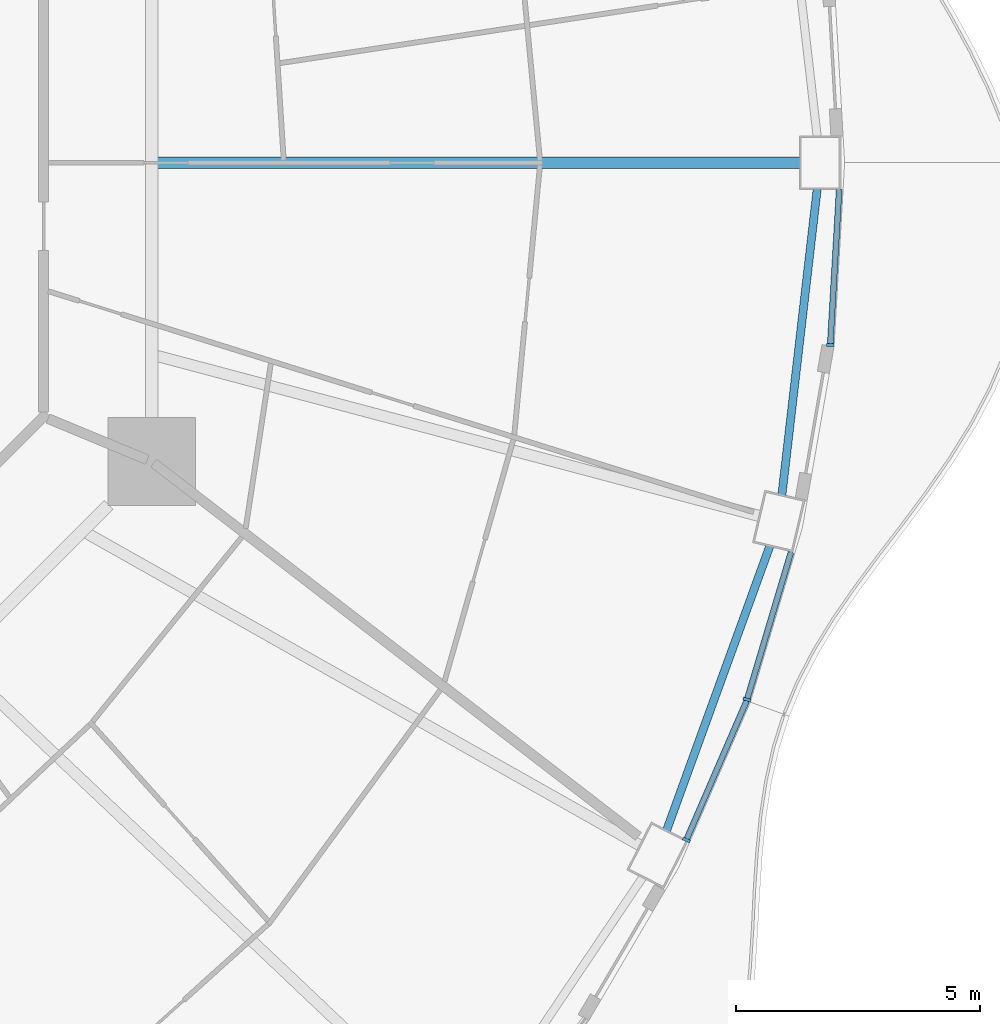
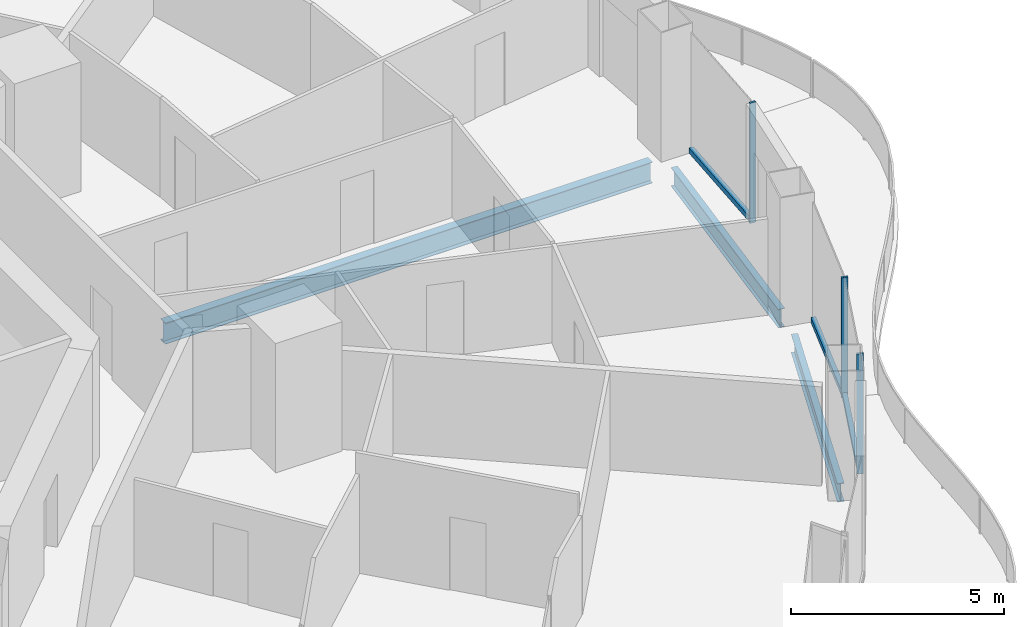
# One storey, part 5 of 19: 6 members, 3 beams, 3 elements without a shape of their own.
"""IFC4 building model written with IfcOpenShell, lengths in metres."""

from ifc_helpers import new_model, si_unit, direction, frame, origin, origin_2d, place, context, subcontext, project, spatial, rectangle, i_section, extrude, material, layer, layer_set, material_profile, profile_set, type_object, element, aggregate, save


model = new_model("IFC4")

# Units and contexts
model_context = context("Model", 3, precision=1e-05, world=origin(), true_north=direction((0.0, 1.0)))
body_context = subcontext(model_context, "Body", "Model", "MODEL_VIEW")
ifc_project = project(units=[si_unit("LENGTHUNIT", "METRE"), si_unit("AREAUNIT", "SQUARE_METRE"), si_unit("VOLUMEUNIT", "CUBIC_METRE"), si_unit("PLANEANGLEUNIT", "RADIAN"), si_unit("MASSUNIT", "GRAM", prefix="KILO")], contexts=[model_context])

# Site, building, storey
site_placement = place(None, origin())
site = spatial("IfcSite", under=ifc_project, at=site_placement, CompositionType="ELEMENT")
building_placement = place(site_placement, origin())
building = spatial("IfcBuilding", under=site, at=building_placement, Name="Nagisa Residences", CompositionType="ELEMENT")
storey_placement = place(building_placement, frame((0.0, 0.0, 180.699951171875)))
storey = spatial("IfcBuildingStorey", under=building, at=storey_placement, Name="L45", CompositionType="ELEMENT", Elevation=180.699951171875)

# Curtain wall, member
ifc_material_1 = material(Name="Concrete-coloured aluminium curtain wall system", Category="concrete")
ifc_layer = layer(ifc_material_1, 0.159912109375)
ifc_layer_set = layer_set([ifc_layer], Name="CW1 CURTAIN WALL")
curtain_wall_type = type_object("IfcCurtainWallType", Name="CW1 CURTAIN WALL", PredefinedType="NOTDEFINED", material=ifc_layer_set)
curtain_wall_1_placement = place(storey_placement, origin())
curtain_wall_1 = element("IfcCurtainWall", 1, at=curtain_wall_1_placement, inside=storey, type_object=curtain_wall_type, Name="cw:CW1:L45:44", PredefinedType="NOTDEFINED")
ifc_material_2 = material(Name="Concrete-coloured aluminium", Category="concrete")
ifc_material_profile_1 = material_profile(ifc_material_2, rectangle(XDim=0.159912109375, YDim=0.06005859375, at=origin_2d()), Name="CW1 MULLION 160x60")
ifc_profile_set_1 = profile_set([ifc_material_profile_1], Name="Concrete-coloured aluminium")
member_type_1 = type_object("IfcMemberType", Name="CW1 MULLION 160x60", PredefinedType="MULLION", material=ifc_profile_set_1)
member_1_placement = place(storey_placement, frame((25.732666015625, -13.87353515625, 0.0), z_axis=(0.0, 0.0, 1.0), x_axis=(-0.917543276295, 0.397635934147, 0.0)))
member_1 = element("IfcMember", 2, at=member_1_placement, type_object=member_type_1, Name="CW1 mullion", PredefinedType="MULLION", context=body_context, shape_type="SweptSolid", body=[
    extrude(rectangle(XDim=0.159912109375, YDim=0.06005859375, at=origin_2d()), origin(), (0.0, 0.0, 1.0), 3.43994140625),
])

curtain_wall_2_placement = place(storey_placement, origin())
curtain_wall_2 = element("IfcCurtainWall", 3, at=curtain_wall_2_placement, inside=storey, type_object=curtain_wall_type, Name="cw:CW1:L45:45", PredefinedType="NOTDEFINED")
member_2_placement = place(storey_placement, frame((26.975341796875, -10.998291015625, 0.0), z_axis=(0.0, 0.0, 1.0), x_axis=(-0.958271310082, 0.285860274038, 0.0)))
member_2 = element("IfcMember", 4, at=member_2_placement, type_object=member_type_1, Name="CW1 mullion", PredefinedType="MULLION", context=body_context, shape_type="SweptSolid", body=[
    extrude(rectangle(XDim=0.159912109375, YDim=0.06005859375, at=origin_2d()), origin(), (0.0, 0.0, 1.0), 3.43994140625),
])

curtain_wall_3_placement = place(storey_placement, origin())
curtain_wall_3 = element("IfcCurtainWall", 5, at=curtain_wall_3_placement, inside=storey, type_object=curtain_wall_type, Name="cw:CW1:L45:47", PredefinedType="NOTDEFINED")
member_3_placement = place(storey_placement, frame((28.6796875, -3.734375, 0.0), z_axis=(0.0, 0.0, 1.0), x_axis=(-0.998345305184, 0.057503492216, 0.0)))
member_3 = element("IfcMember", 6, at=member_3_placement, type_object=member_type_1, Name="CW1 mullion", PredefinedType="MULLION", context=body_context, shape_type="SweptSolid", body=[
    extrude(rectangle(XDim=0.159912109375, YDim=0.06005859375, at=origin_2d()), origin(), (0.0, 0.0, 1.0), 3.43994140625),
])

# Member
ifc_material_3 = material(Name="Concrete-coloured aluminium", Category="concrete")
ifc_material_profile_2 = material_profile(ifc_material_3, rectangle(XDim=0.1201171875, YDim=0.14990234375, at=origin_2d()), Name="CW1 TRANSOM 120x150")
ifc_profile_set_2 = profile_set([ifc_material_profile_2], Name="Concrete-coloured aluminium")
member_type_2 = type_object("IfcMemberType", Name="CW1 TRANSOM 120x150", PredefinedType="USERDEFINED", material=ifc_profile_set_2)
member_4_placement = place(storey_placement, frame((25.720703125, -13.901123046875, 0.074951171875), z_axis=(0.397592173732, 0.917562239517, 0.0), x_axis=(-0.917562239517, 0.397592173732, 0.0)))
member_4 = element("IfcMember", 7, at=member_4_placement, type_object=member_type_2, Name="CW1 transom", ObjectType="TRANSOM", PredefinedType="USERDEFINED", context=body_context, shape_type="SweptSolid", body=[
    extrude(rectangle(XDim=0.1201171875, YDim=0.14990234375, at=origin_2d()), origin(), (0.0, 0.0, 1.0), 3.14208984375),
])

aggregate(curtain_wall_1, [member_1, member_4])

member_5_placement = place(storey_placement, frame((26.966796875, -11.027099609375, 0.074951171875), z_axis=(0.28584838049, 0.958274857946, 0.0), x_axis=(-0.958274857946, 0.28584838049, 0.0)))
member_5 = element("IfcMember", 8, at=member_5_placement, type_object=member_type_2, Name="CW1 transom", ObjectType="TRANSOM", PredefinedType="USERDEFINED", context=body_context, shape_type="SweptSolid", body=[
    extrude(rectangle(XDim=0.1201171875, YDim=0.14990234375, at=origin_2d()), origin(), (0.0, 0.0, 1.0), 3.182373046875),
])

aggregate(curtain_wall_2, [member_2, member_5])

member_6_placement = place(storey_placement, frame((28.677978515625, -3.764404296875, 0.074951171875), z_axis=(0.057528345118, 0.998343873376, 0.0), x_axis=(-0.998343873376, 0.057528345118, 0.0)))
member_6 = element("IfcMember", 9, at=member_6_placement, type_object=member_type_2, Name="CW1 transom", ObjectType="TRANSOM", PredefinedType="USERDEFINED", context=body_context, shape_type="SweptSolid", body=[
    extrude(rectangle(XDim=0.1201171875, YDim=0.14990234375, at=origin_2d()), origin(), (0.0, 0.0, 1.0), 3.225341796875),
])

aggregate(curtain_wall_3, [member_3, member_6])

# Beams
ifc_material_4 = material(Name="Steel ASTM A572 Gr 50", Category="steel")
ifc_material_profile_3 = material_profile(ifc_material_4, i_section(OverallWidth=0.166015625, OverallDepth=0.534912109375, WebThickness=0.01025390625, FlangeThickness=0.0166015625, at=origin_2d()), Name="W530x85")
ifc_profile_set_3 = profile_set([ifc_material_profile_3], Name="Steel ASTM A572 Gr 50")
beam_type_1 = type_object("IfcBeamType", Name="Perimeter ring beam W530x85", PredefinedType="BEAM", material=ifc_profile_set_3)
beam_1_placement = place(storey_placement, frame((25.32470703125, -13.685546875, -0.52734375), z_axis=(0.341320243926, 0.939947068237, 0.0), x_axis=(-0.939947068237, 0.341320243926, 0.0)))
element("IfcBeam", 10, at=beam_1_placement, inside=storey, type_object=beam_type_1, Name="beam:L45:pb23", PredefinedType="BEAM", context=body_context, shape_type="SweptSolid", body=[
    extrude(i_section(OverallWidth=0.166015625, OverallDepth=0.534912109375, WebThickness=0.01025390625, FlangeThickness=0.0166015625, at=origin_2d()), origin(), (0.0, 0.0, 1.0), 6.212890625),
])
beam_2_placement = place(storey_placement, frame((27.688720703125, -6.813720703125, -0.52734375), z_axis=(0.11463289794, 0.993407921606, 0.0), x_axis=(-0.993407921606, 0.11463289794, 0.0)))
element("IfcBeam", 11, at=beam_2_placement, inside=storey, type_object=beam_type_1, Name="beam:L45:pb24", PredefinedType="BEAM", context=body_context, shape_type="SweptSolid", body=[
    extrude(i_section(OverallWidth=0.166015625, OverallDepth=0.534912109375, WebThickness=0.01025390625, FlangeThickness=0.0166015625, at=origin_2d()), origin(), (0.0, 0.0, 1.0), 6.325439453125),
])
ifc_material_5 = material(Name="Steel ASTM A572 Gr 50", Category="steel")
ifc_material_profile_4 = material_profile(ifc_material_5, i_section(OverallWidth=0.22802734375, OverallDepth=0.60302734375, WebThickness=0.010498046875, FlangeThickness=0.014892578125, at=origin_2d()), Name="W610x101")
ifc_profile_set_4 = profile_set([ifc_material_profile_4], Name="Steel ASTM A572 Gr 50")
beam_type_2 = type_object("IfcBeamType", Name="Radial beam W610x101", PredefinedType="BEAM", material=ifc_profile_set_4)
beam_3_placement = place(storey_placement, frame((28.070068359375, 0.0, -0.5615234375), z_axis=(-1.0, 0.0, 0.0), x_axis=(0.0, -1.0, 0.0)))
element("IfcBeam", 12, at=beam_3_placement, inside=storey, type_object=beam_type_2, Name="beam:L45:rb01", PredefinedType="BEAM", context=body_context, shape_type="SweptSolid", body=[
    extrude(i_section(OverallWidth=0.22802734375, OverallDepth=0.60302734375, WebThickness=0.010498046875, FlangeThickness=0.014892578125, at=origin_2d()), origin(), (0.0, 0.0, 1.0), 13.180908203125),
])

save(model, "model.ifc")
